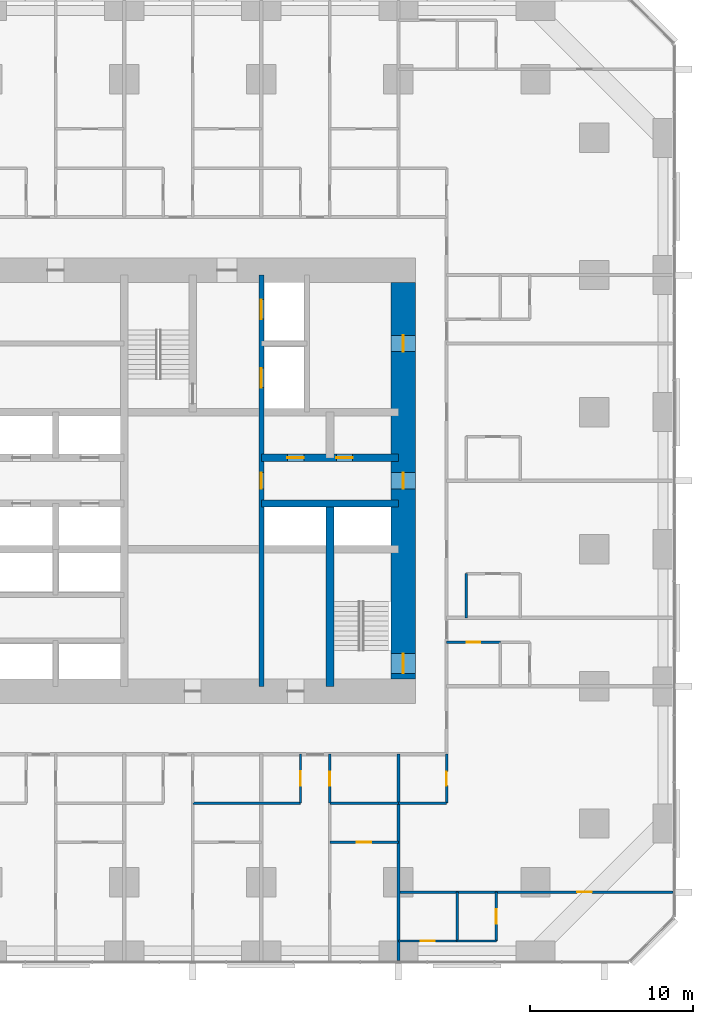
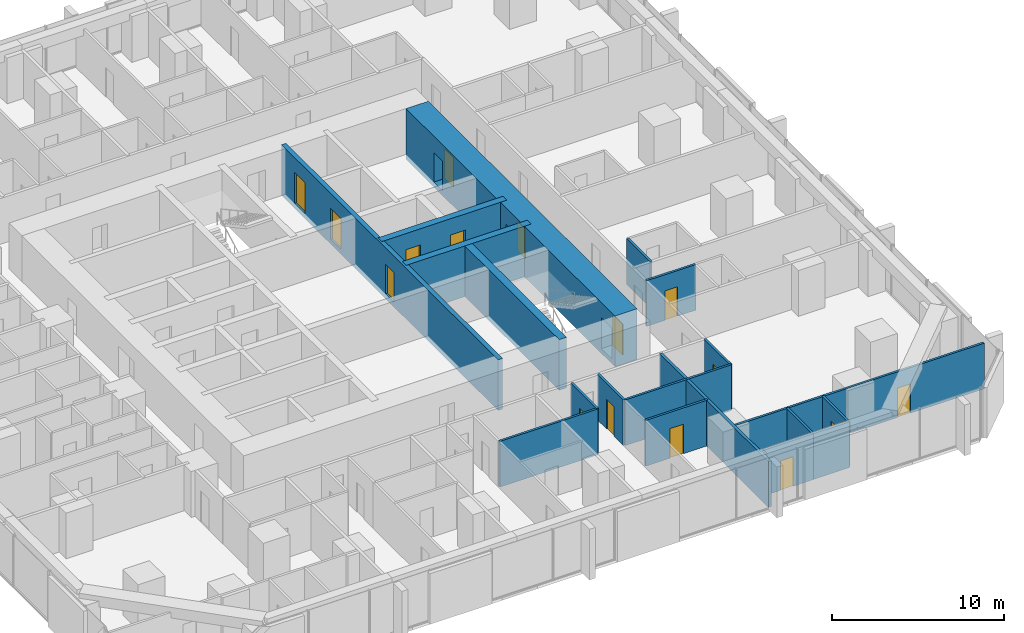
# One storey, part 13 of 17: 20 walls, 16 doors, 16 openings.
"""IFC4 building model written with IfcOpenShell, lengths in metres."""

from ifc_helpers import new_model, si_unit, direction, frame, frame_2d, origin, place, context, subcontext, project, spatial, rectangle, extrude, material, layer, layer_set, type_object, element, fill, save


model = new_model("IFC4")

# Units and contexts
model_context = context("Model", 3, precision=1e-05, world=origin(), true_north=direction((0.0, 1.0)))
body_context = subcontext(model_context, "Body", "Model", "MODEL_VIEW")
ifc_project = project(units=[si_unit("LENGTHUNIT", "METRE"), si_unit("AREAUNIT", "SQUARE_METRE"), si_unit("VOLUMEUNIT", "CUBIC_METRE"), si_unit("PLANEANGLEUNIT", "RADIAN"), si_unit("MASSUNIT", "GRAM", prefix="KILO")], contexts=[model_context])

# Site, building, storey
site_placement = place(None, origin())
site = spatial("IfcSite", under=ifc_project, at=site_placement, CompositionType="ELEMENT")
building_placement = place(site_placement, origin())
building = spatial("IfcBuilding", under=site, at=building_placement, Name="Dunama Terrace Hotel", CompositionType="ELEMENT")
storey_placement = place(building_placement, frame((0.0, 0.0, 52.199951171875)))
storey = spatial("IfcBuildingStorey", under=building, at=storey_placement, Name="L12", CompositionType="ELEMENT", Elevation=52.199951171875)

# Wall, opening, door
ifc_material_1 = material(Name="Gypsum board partition", Category="masonry")
ifc_layer_1 = layer(ifc_material_1, 0.14990234375)
ifc_layer_set_1 = layer_set([ifc_layer_1], Name="Bathroom partition 150")
wall_type_1 = type_object("IfcWallType", Name="Bathroom partition 150", PredefinedType="PARTITIONING", material=ifc_layer_set_1)
wall_1_placement = place(storey_placement, frame((37.800048828125, 9.64990234375, 0.0), z_axis=(0.0, 0.0, 1.0), x_axis=(0.0, 1.0, 0.0)))
wall_1 = element("IfcWall", 1, at=wall_1_placement, inside=storey, type_object=wall_type_1, Name="Bathroom partition 150 L12", PredefinedType="PARTITIONING", context=body_context, shape_type="SweptSolid", body=[
    extrude(rectangle(XDim=3.0, YDim=0.14990234375, at=frame_2d((1.5, 0.0))), origin(), (0.0, 0.0, 1.0), 3.25),
])
opening_1_placement = place(wall_1_placement, frame((1.074951171875, 0.0, 0.0)))
opening_1 = element("IfcOpeningElement", 2, at=opening_1_placement, cuts=wall_1, Name="Opening L12-021", PredefinedType="OPENING", context=body_context, shape_type="SweptSolid", body=[
    extrude(rectangle(XDim=0.85009765625, YDim=2.10009765625, at=frame_2d((0.425048828125, 1.050048828125))), frame((0.0, 0.0849609375, 0.0), z_axis=(0.0, -1.0, 0.0), x_axis=(1.0, 0.0, 0.0)), (0.0, 0.0, 1.0), 0.169921875),
])
ifc_material_2 = material(Name="Timber door with steel frame", Category="steel")
door_type_1 = type_object("IfcDoorType", Name="Bathroom door 850", OperationType="SINGLE_SWING_LEFT", PredefinedType="DOOR", material=ifc_material_2)
door_1_placement = place(opening_1_placement, frame((0.85009765625, 0.0, 0.0), z_axis=(0.0, 0.0, 1.0), x_axis=(-1.0, 0.0, 0.0)))
door_1 = element("IfcDoor", 3, at=door_1_placement, inside=storey, type_object=door_type_1, Name="Door to residence bathroom L12-021, type D2", OperationType="SINGLE_SWING_LEFT", OverallHeight=2.10009765625, OverallWidth=0.85009765625, PredefinedType="DOOR", context=body_context, shape_type="SweptSolid", body=[
    extrude(rectangle(XDim=0.85009765625, YDim=2.10009765625, at=frame_2d((0.425048828125, 1.050048828125))), frame((0.0, 0.025146484375, 0.0), z_axis=(0.0, -1.0, 0.0), x_axis=(1.0, 0.0, 0.0)), (0.0, 0.0, 1.0), 0.050048828125),
])
fill(opening_1, door_1)

wall_2_placement = place(storey_placement, frame((44.949951171875, 9.64990234375, 0.0), z_axis=(0.0, 0.0, 1.0), x_axis=(0.0, 1.0, 0.0)))
wall_2 = element("IfcWall", 4, at=wall_2_placement, inside=storey, type_object=wall_type_1, Name="Bathroom partition 150 L12", PredefinedType="PARTITIONING", context=body_context, shape_type="SweptSolid", body=[
    extrude(rectangle(XDim=3.0, YDim=0.14990234375, at=frame_2d((1.5, 0.0))), origin(), (0.0, 0.0, 1.0), 3.25),
])
opening_2_placement = place(wall_2_placement, frame((1.074951171875, 0.0, 0.0)))
opening_2 = element("IfcOpeningElement", 5, at=opening_2_placement, cuts=wall_2, Name="Opening L12-073", PredefinedType="OPENING", context=body_context, shape_type="SweptSolid", body=[
    extrude(rectangle(XDim=0.85009765625, YDim=2.10009765625, at=frame_2d((0.425048828125, 1.050048828125))), frame((0.0, 0.0849609375, 0.0), z_axis=(0.0, -1.0, 0.0), x_axis=(1.0, 0.0, 0.0)), (0.0, 0.0, 1.0), 0.169921875),
])
door_2_placement = place(opening_2_placement, origin())
door_2 = element("IfcDoor", 6, at=door_2_placement, inside=storey, type_object=door_type_1, Name="Door to powder room L12-073, type D2", OperationType="SINGLE_SWING_RIGHT", OverallHeight=2.10009765625, OverallWidth=0.85009765625, PredefinedType="DOOR", context=body_context, shape_type="SweptSolid", body=[
    extrude(rectangle(XDim=0.85009765625, YDim=2.10009765625, at=frame_2d((0.425048828125, 1.050048828125))), frame((0.0, 0.02490234375, 0.0), z_axis=(0.0, -1.0, 0.0), x_axis=(1.0, 0.0, 0.0)), (0.0, 0.0, 1.0), 0.050048828125),
])
fill(opening_2, door_2)

# Wall
wall_3_placement = place(storey_placement, frame((46.14990234375, 21.0, 0.0), z_axis=(0.0, 0.0, 1.0), x_axis=(0.0, 1.0, 0.0)))
element("IfcWall", 7, at=wall_3_placement, inside=storey, type_object=wall_type_1, Name="Bathroom partition 150 L12", PredefinedType="PARTITIONING", context=body_context, shape_type="SweptSolid", body=[
    extrude(rectangle(XDim=2.699951171875, YDim=0.14990234375, at=frame_2d((1.35009765625, 0.0))), origin(), (0.0, 0.0, 1.0), 3.25),
])

# Wall, opening, door
wall_4_placement = place(storey_placement, frame((42.0, 1.199951171875, 0.0), z_axis=(0.0, 0.0, 1.0), x_axis=(1.0, 0.0, 0.0)))
wall_4 = element("IfcWall", 8, at=wall_4_placement, inside=storey, type_object=wall_type_1, Name="Bathroom partition 150 L12", PredefinedType="PARTITIONING", context=body_context, shape_type="SweptSolid", body=[
    extrude(rectangle(XDim=3.60009765625, YDim=0.14990234375, at=frame_2d((1.800048828125, 0.0))), origin(), (0.0, 0.0, 1.0), 3.25),
])
opening_3_placement = place(wall_4_placement, frame((1.375, 0.0, 0.0)))
opening_3 = element("IfcOpeningElement", 9, at=opening_3_placement, cuts=wall_4, Name="Opening L12-075", PredefinedType="OPENING", context=body_context, shape_type="SweptSolid", body=[
    extrude(rectangle(XDim=0.85009765625, YDim=2.10009765625, at=frame_2d((0.425048828125, 1.050048828125))), frame((0.0, 0.0849609375, 0.0), z_axis=(0.0, -1.0, 0.0), x_axis=(1.0, 0.0, 0.0)), (0.0, 0.0, 1.0), 0.169921875),
])
door_3_placement = place(opening_3_placement, origin())
door_3 = element("IfcDoor", 10, at=door_3_placement, inside=storey, type_object=door_type_1, Name="Door to en-suite bathroom L12-075, type D2", OperationType="SINGLE_SWING_LEFT", OverallHeight=2.10009765625, OverallWidth=0.85009765625, PredefinedType="DOOR", context=body_context, shape_type="SweptSolid", body=[
    extrude(rectangle(XDim=0.85009765625, YDim=2.10009765625, at=frame_2d((0.425048828125, 1.050048828125))), frame((0.0, 0.02490234375, 0.0), z_axis=(0.0, -1.0, 0.0), x_axis=(1.0, 0.0, 0.0)), (0.0, 0.0, 1.0), 0.050048828125),
])
fill(opening_3, door_3)

# Wall
wall_5_placement = place(storey_placement, frame((42.0, 9.64990234375, 0.0), z_axis=(0.0, 0.0, 1.0), x_axis=(1.0, 0.0, 0.0)))
element("IfcWall", 11, at=wall_5_placement, inside=storey, type_object=wall_type_1, Name="Bathroom partition 150 L12", PredefinedType="PARTITIONING", context=body_context, shape_type="SweptSolid", body=[
    extrude(rectangle(XDim=2.949951171875, YDim=0.14990234375, at=frame_2d((1.47509765625, 0.0))), origin(), (0.0, 0.0, 1.0), 3.25),
])

# Wall, opening, door
wall_6_placement = place(storey_placement, frame((44.949951171875, 19.5, 0.0), z_axis=(0.0, 0.0, 1.0), x_axis=(1.0, 0.0, 0.0)))
wall_6 = element("IfcWall", 12, at=wall_6_placement, inside=storey, type_object=wall_type_1, Name="Bathroom partition 150 L12", PredefinedType="PARTITIONING", context=body_context, shape_type="SweptSolid", body=[
    extrude(rectangle(XDim=3.300048828125, YDim=0.14990234375, at=frame_2d((1.64990234375, 0.0))), origin(), (0.0, 0.0, 1.0), 3.25),
])
opening_4_placement = place(wall_6_placement, frame((1.22509765625, 0.0, 0.0)))
opening_4 = element("IfcOpeningElement", 13, at=opening_4_placement, cuts=wall_6, Name="Opening L12-025", PredefinedType="OPENING", context=body_context, shape_type="SweptSolid", body=[
    extrude(rectangle(XDim=0.85009765625, YDim=2.10009765625, at=frame_2d((0.425048828125, 1.050048828125))), frame((0.0, 0.0849609375, 0.0), z_axis=(0.0, -1.0, 0.0), x_axis=(1.0, 0.0, 0.0)), (0.0, 0.0, 1.0), 0.169921875),
])
door_4_placement = place(opening_4_placement, frame((0.85009765625, 0.0, 0.0), z_axis=(0.0, 0.0, 1.0), x_axis=(-1.0, 0.0, 0.0)))
door_4 = element("IfcDoor", 14, at=door_4_placement, inside=storey, type_object=door_type_1, Name="Door to en-suite bathroom L12-025, type D2", OperationType="SINGLE_SWING_RIGHT", OverallHeight=2.10009765625, OverallWidth=0.85009765625, PredefinedType="DOOR", context=body_context, shape_type="SweptSolid", body=[
    extrude(rectangle(XDim=0.85009765625, YDim=2.10009765625, at=frame_2d((0.425048828125, 1.050048828125))), frame((0.0, 0.025146484375, 0.0), z_axis=(0.0, -1.0, 0.0), x_axis=(1.0, 0.0, 0.0)), (0.0, 0.0, 1.0), 0.050048828125),
])
fill(opening_4, door_4)

# Wall, openings, doors
ifc_material_3 = material(Name="Concrete C50/60", Category="concrete")
ifc_layer_2 = layer(ifc_material_3, 0.300048828125)
ifc_layer_set_2 = layer_set([ifc_layer_2], Name="Core inner wall 300")
wall_type_2 = type_object("IfcWallType", Name="Core inner wall 300", PredefinedType="SHEAR", material=ifc_layer_set_2)
wall_7_placement = place(storey_placement, frame((33.60009765625, 16.800048828125, -0.349853515625), z_axis=(0.0, 0.0, 1.0), x_axis=(0.0, 1.0, 0.0)))
wall_7 = element("IfcWall", 15, at=wall_7_placement, inside=storey, type_object=wall_type_2, Name="Core inner wall 300 L12", PredefinedType="SHEAR", context=body_context, shape_type="SweptSolid", body=[
    extrude(rectangle(XDim=25.199951171875, YDim=0.300048828125, at=frame_2d((12.60009765625, 0.0))), origin(), (0.0, 0.0, 1.0), 3.599853515625),
])
opening_5_placement = place(wall_7_placement, frame((22.5, 0.0, 0.35009765625)))
opening_5 = element("IfcOpeningElement", 16, at=opening_5_placement, cuts=wall_7, Name="Opening L12-007", PredefinedType="OPENING", context=body_context, shape_type="SweptSolid", body=[
    extrude(rectangle(XDim=1.199951171875, YDim=2.199951171875, at=frame_2d((0.60009765625, 1.10009765625))), frame((0.0, 0.159912109375, 0.0), z_axis=(0.0, -1.0, 0.0), x_axis=(1.0, 0.0, 0.0)), (0.0, 0.0, 1.0), 0.320068359375),
])
opening_6_placement = place(wall_7_placement, frame((18.300048828125, 0.0, 0.35009765625)))
opening_6 = element("IfcOpeningElement", 17, at=opening_6_placement, cuts=wall_7, Name="Opening L12-008", PredefinedType="OPENING", context=body_context, shape_type="SweptSolid", body=[
    extrude(rectangle(XDim=1.199951171875, YDim=2.199951171875, at=frame_2d((0.60009765625, 1.10009765625))), frame((0.0, 0.159912109375, 0.0), z_axis=(0.0, -1.0, 0.0), x_axis=(1.0, 0.0, 0.0)), (0.0, 0.0, 1.0), 0.320068359375),
])
opening_7_placement = place(wall_7_placement, frame((12.10009765625, 0.0, 0.35009765625)))
opening_7 = element("IfcOpeningElement", 18, at=opening_7_placement, cuts=wall_7, Name="Opening L12-091", PredefinedType="OPENING", context=body_context, shape_type="SweptSolid", body=[
    extrude(rectangle(XDim=1.0, YDim=2.10009765625, at=frame_2d((0.5, 1.050048828125))), frame((0.0, 0.159912109375, 0.0), z_axis=(0.0, -1.0, 0.0), x_axis=(1.0, 0.0, 0.0)), (0.0, 0.0, 1.0), 0.320068359375),
])
ifc_material_4 = material(Name="Stainless steel lift door", Category="steel")
door_type_2 = type_object("IfcDoorType", Name="Firefighting lift landing door 1200", OperationType="DOUBLE_DOOR_SLIDING", PredefinedType="DOOR", material=ifc_material_4)
door_5_placement = place(opening_5_placement, origin())
door_5 = element("IfcDoor", 19, at=door_5_placement, inside=storey, type_object=door_type_2, Name="Landing door FL1 L12-007, type LD2", OperationType="DOUBLE_DOOR_SLIDING", OverallHeight=2.199951171875, OverallWidth=1.199951171875, PredefinedType="DOOR", context=body_context, shape_type="SweptSolid", body=[
    extrude(rectangle(XDim=1.199951171875, YDim=2.199951171875, at=frame_2d((0.60009765625, 1.10009765625))), frame((0.0, 0.02490234375, 0.0), z_axis=(0.0, -1.0, 0.0), x_axis=(1.0, 0.0, 0.0)), (0.0, 0.0, 1.0), 0.050048828125),
])
fill(opening_5, door_5)
door_6_placement = place(opening_6_placement, origin())
door_6 = element("IfcDoor", 20, at=door_6_placement, inside=storey, type_object=door_type_2, Name="Landing door FL2 L12-008, type LD2", OperationType="DOUBLE_DOOR_SLIDING", OverallHeight=2.199951171875, OverallWidth=1.199951171875, PredefinedType="DOOR", context=body_context, shape_type="SweptSolid", body=[
    extrude(rectangle(XDim=1.199951171875, YDim=2.199951171875, at=frame_2d((0.60009765625, 1.10009765625))), frame((0.0, 0.02490234375, 0.0), z_axis=(0.0, -1.0, 0.0), x_axis=(1.0, 0.0, 0.0)), (0.0, 0.0, 1.0), 0.050048828125),
])
fill(opening_6, door_6)
ifc_material_5 = material(Name="Timber door with steel frame", Category="steel")
door_type_3 = type_object("IfcDoorType", Name="Service door 1000", OperationType="SINGLE_SWING_LEFT", PredefinedType="DOOR", material=ifc_material_5)
door_7_placement = place(opening_7_placement, origin())
door_7 = element("IfcDoor", 21, at=door_7_placement, inside=storey, type_object=door_type_3, Name="Door to linen and housekeeping room L12-091, type D7", OperationType="SINGLE_SWING_LEFT", OverallHeight=2.10009765625, OverallWidth=1.0, PredefinedType="DOOR", context=body_context, shape_type="SweptSolid", body=[
    extrude(rectangle(XDim=1.0, YDim=2.10009765625, at=frame_2d((0.5, 1.050048828125))), frame((0.0, 0.02490234375, 0.0), z_axis=(0.0, -1.0, 0.0), x_axis=(1.0, 0.0, 0.0)), (0.0, 0.0, 1.0), 0.050048828125),
])
fill(opening_7, door_7)

# Wall
ifc_material_6 = material(Name="Concrete C50/60", Category="concrete")
ifc_layer_3 = layer(ifc_material_6, 0.449951171875)
ifc_layer_set_3 = layer_set([ifc_layer_3], Name="Core inner wall 450")
wall_type_3 = type_object("IfcWallType", Name="Core inner wall 450", PredefinedType="SHEAR", material=ifc_layer_set_3)
wall_8_placement = place(storey_placement, frame((33.60009765625, 28.0, -0.349853515625), z_axis=(0.0, 0.0, 1.0), x_axis=(1.0, 0.0, 0.0)))
element("IfcWall", 22, at=wall_8_placement, inside=storey, type_object=wall_type_3, Name="Core inner wall 450 L12", PredefinedType="SHEAR", context=body_context, shape_type="SweptSolid", body=[
    extrude(rectangle(XDim=8.39990234375, YDim=0.449951171875, at=frame_2d((4.199951171875, 0.0))), origin(), (0.0, 0.0, 1.0), 3.599853515625),
])

# Wall, openings, doors
wall_9_placement = place(storey_placement, frame((33.60009765625, 30.800048828125, -0.349853515625), z_axis=(0.0, 0.0, 1.0), x_axis=(1.0, 0.0, 0.0)))
wall_9 = element("IfcWall", 23, at=wall_9_placement, inside=storey, type_object=wall_type_3, Name="Core inner wall 450 L12", PredefinedType="SHEAR", context=body_context, shape_type="SweptSolid", body=[
    extrude(rectangle(XDim=8.39990234375, YDim=0.449951171875, at=frame_2d((4.199951171875, 0.0))), origin(), (0.0, 0.0, 1.0), 3.599853515625),
])
opening_8_placement = place(wall_9_placement, frame((1.60009765625, 0.0, 0.35009765625)))
opening_8 = element("IfcOpeningElement", 24, at=opening_8_placement, cuts=wall_9, Name="Opening L12-092", PredefinedType="OPENING", context=body_context, shape_type="SweptSolid", body=[
    extrude(rectangle(XDim=1.0, YDim=2.10009765625, at=frame_2d((0.5, 1.050048828125))), frame((0.0, 0.23486328125, 0.0), z_axis=(0.0, -1.0, 0.0), x_axis=(1.0, 0.0, 0.0)), (0.0, 0.0, 1.0), 0.469970703125),
])
opening_9_placement = place(wall_9_placement, frame((4.60009765625, 0.0, 0.35009765625)))
opening_9 = element("IfcOpeningElement", 25, at=opening_9_placement, cuts=wall_9, Name="Opening L12-093", PredefinedType="OPENING", context=body_context, shape_type="SweptSolid", body=[
    extrude(rectangle(XDim=1.0, YDim=2.10009765625, at=frame_2d((0.5, 1.050048828125))), frame((0.0, 0.23486328125, 0.0), z_axis=(0.0, -1.0, 0.0), x_axis=(1.0, 0.0, 0.0)), (0.0, 0.0, 1.0), 0.469970703125),
])
door_8_placement = place(opening_8_placement, origin())
door_8 = element("IfcDoor", 26, at=door_8_placement, inside=storey, type_object=door_type_3, Name="Door to service riser L12-092, type D7", OperationType="SINGLE_SWING_RIGHT", OverallHeight=2.10009765625, OverallWidth=1.0, PredefinedType="DOOR", context=body_context, shape_type="SweptSolid", body=[
    extrude(rectangle(XDim=1.0, YDim=2.10009765625, at=frame_2d((0.5, 1.050048828125))), frame((0.0, 0.02490234375, 0.0), z_axis=(0.0, -1.0, 0.0), x_axis=(1.0, 0.0, 0.0)), (0.0, 0.0, 1.0), 0.050048828125),
])
fill(opening_8, door_8)
door_9_placement = place(opening_9_placement, origin())
door_9 = element("IfcDoor", 27, at=door_9_placement, inside=storey, type_object=door_type_3, Name="Door to cleaners store L12-093, type D7", OperationType="SINGLE_SWING_LEFT", OverallHeight=2.10009765625, OverallWidth=1.0, PredefinedType="DOOR", context=body_context, shape_type="SweptSolid", body=[
    extrude(rectangle(XDim=1.0, YDim=2.10009765625, at=frame_2d((0.5, 1.050048828125))), frame((0.0, 0.02490234375, 0.0), z_axis=(0.0, -1.0, 0.0), x_axis=(1.0, 0.0, 0.0)), (0.0, 0.0, 1.0), 0.050048828125),
])
fill(opening_9, door_9)

# Wall
ifc_material_7 = material(Name="Concrete C50/60", Category="concrete")
ifc_layer_4 = layer(ifc_material_7, 0.5)
ifc_layer_set_4 = layer_set([ifc_layer_4], Name="Core inner wall 500")
wall_type_4 = type_object("IfcWallType", Name="Core inner wall 500", PredefinedType="SHEAR", material=ifc_layer_set_4)
wall_10_placement = place(storey_placement, frame((37.800048828125, 16.800048828125, -0.349853515625), z_axis=(0.0, 0.0, 1.0), x_axis=(0.0, 1.0, 0.0)))
element("IfcWall", 28, at=wall_10_placement, inside=storey, type_object=wall_type_4, Name="Core inner wall 500 L12", PredefinedType="SHEAR", context=body_context, shape_type="SweptSolid", body=[
    extrude(rectangle(XDim=11.199951171875, YDim=0.5, at=frame_2d((5.60009765625, 0.0))), origin(), (0.0, 0.0, 1.0), 3.599853515625),
])

# Wall, openings, doors
ifc_material_8 = material(Name="Concrete C60/75", Category="concrete")
ifc_layer_5 = layer(ifc_material_8, 1.5)
ifc_layer_set_5 = layer_set([ifc_layer_5], Name="Core wall 1500")
wall_type_5 = type_object("IfcWallType", Name="Core wall 1500", PredefinedType="SHEAR", material=ifc_layer_set_5)
wall_11_placement = place(storey_placement, frame((42.300048828125, 17.25, -0.349853515625), z_axis=(0.0, 0.0, 1.0), x_axis=(0.0, 1.0, 0.0)))
wall_11 = element("IfcWall", 29, at=wall_11_placement, inside=storey, type_object=wall_type_5, Name="Core wall east L12", PredefinedType="SHEAR", context=body_context, shape_type="SweptSolid", body=[
    extrude(rectangle(XDim=24.300048828125, YDim=1.5, at=frame_2d((12.14990234375, 0.0))), origin(), (0.0, 0.0, 1.0), 3.599853515625),
])
opening_10_placement = place(wall_11_placement, frame((0.35009765625, 0.0, 0.35009765625)))
opening_10 = element("IfcOpeningElement", 30, at=opening_10_placement, cuts=wall_11, Name="Opening L12-002", PredefinedType="OPENING", context=body_context, shape_type="SweptSolid", body=[
    extrude(rectangle(XDim=1.199951171875, YDim=2.199951171875, at=frame_2d((0.60009765625, 1.10009765625))), frame((0.0, 0.760009765625, 0.0), z_axis=(0.0, -1.0, 0.0), x_axis=(1.0, 0.0, 0.0)), (0.0, 0.0, 1.0), 1.52001953125),
])
opening_11_placement = place(wall_11_placement, frame((11.64990234375, 0.0, 0.35009765625)))
opening_11 = element("IfcOpeningElement", 31, at=opening_11_placement, cuts=wall_11, Name="Opening L12-094", PredefinedType="OPENING", context=body_context, shape_type="SweptSolid", body=[
    extrude(rectangle(XDim=1.0, YDim=2.10009765625, at=frame_2d((0.5, 1.050048828125))), frame((0.0, 0.760009765625, 0.0), z_axis=(0.0, -1.0, 0.0), x_axis=(1.0, 0.0, 0.0)), (0.0, 0.0, 1.0), 1.52001953125),
])
opening_12_placement = place(wall_11_placement, frame((20.050048828125, 0.0, 0.35009765625)))
opening_12 = element("IfcOpeningElement", 32, at=opening_12_placement, cuts=wall_11, Name="Opening L12-096", PredefinedType="OPENING", context=body_context, shape_type="SweptSolid", body=[
    extrude(rectangle(XDim=1.0, YDim=2.10009765625, at=frame_2d((0.5, 1.050048828125))), frame((0.0, 0.760009765625, 0.0), z_axis=(0.0, -1.0, 0.0), x_axis=(1.0, 0.0, 0.0)), (0.0, 0.0, 1.0), 1.52001953125),
])
door_10_placement = place(opening_11_placement, origin())
door_10 = element("IfcDoor", 33, at=door_10_placement, inside=storey, type_object=door_type_3, Name="Door to service lobby L12-094, type D7", OperationType="SINGLE_SWING_LEFT", OverallHeight=2.10009765625, OverallWidth=1.0, PredefinedType="DOOR", context=body_context, shape_type="SweptSolid", body=[
    extrude(rectangle(XDim=1.0, YDim=2.10009765625, at=frame_2d((0.5, 1.050048828125))), frame((0.0, 0.02490234375, 0.0), z_axis=(0.0, -1.0, 0.0), x_axis=(1.0, 0.0, 0.0)), (0.0, 0.0, 1.0), 0.050048828125),
])
fill(opening_11, door_10)
door_11_placement = place(opening_12_placement, origin())
door_11 = element("IfcDoor", 34, at=door_11_placement, inside=storey, type_object=door_type_3, Name="Door to housekeeping store L12-096, type D7", OperationType="SINGLE_SWING_LEFT", OverallHeight=2.10009765625, OverallWidth=1.0, PredefinedType="DOOR", context=body_context, shape_type="SweptSolid", body=[
    extrude(rectangle(XDim=1.0, YDim=2.10009765625, at=frame_2d((0.5, 1.050048828125))), frame((0.0, 0.02490234375, 0.0), z_axis=(0.0, -1.0, 0.0), x_axis=(1.0, 0.0, 0.0)), (0.0, 0.0, 1.0), 0.050048828125),
])
fill(opening_12, door_11)
ifc_material_9 = material(Name="Timber door with steel frame", Category="steel")
door_type_4 = type_object("IfcDoorType", Name="Stair door 1200", OperationType="SINGLE_SWING_LEFT", PredefinedType="DOOR", material=ifc_material_9)
door_12_placement = place(opening_10_placement, origin())
door_12 = element("IfcDoor", 35, at=door_12_placement, inside=storey, type_object=door_type_4, Name="Stair door ST2 L12-002, type D5", OperationType="SINGLE_SWING_LEFT", OverallHeight=2.199951171875, OverallWidth=1.199951171875, PredefinedType="DOOR", context=body_context, shape_type="SweptSolid", body=[
    extrude(rectangle(XDim=1.199951171875, YDim=2.199951171875, at=frame_2d((0.60009765625, 1.10009765625))), frame((0.0, 0.02490234375, 0.0), z_axis=(0.0, -1.0, 0.0), x_axis=(1.0, 0.0, 0.0)), (0.0, 0.0, 1.0), 0.050048828125),
])
fill(opening_10, door_12)

# Wall
ifc_material_10 = material(Name="Concrete blockwork", Category="masonry")
ifc_layer_6 = layer(ifc_material_10, 0.199951171875)
ifc_layer_set_6 = layer_set([ifc_layer_6], Name="Party wall 200")
wall_type_6 = type_object("IfcWallType", Name="Party wall 200", PredefinedType="PARTITIONING", material=ifc_layer_set_6)
wall_12_placement = place(storey_placement, frame((42.0, -0.008056640625, 0.0), z_axis=(0.0, 0.0, 1.0), x_axis=(0.0, 1.0, 0.0)))
element("IfcWall", 36, at=wall_12_placement, inside=storey, type_object=wall_type_6, Name="Party wall 200 L12", PredefinedType="PARTITIONING", context=body_context, shape_type="SweptSolid", body=[
    extrude(rectangle(XDim=12.657958984375, YDim=0.199951171875, at=frame_2d((6.3291015625, 0.0))), origin(), (0.0, 0.0, 1.0), 3.25),
])

# Wall, opening, door
ifc_material_11 = material(Name="Gypsum board partition", Category="masonry")
ifc_layer_7 = layer(ifc_material_11, 0.14990234375)
ifc_layer_set_7 = layer_set([ifc_layer_7], Name="Room partition 150")
wall_type_7 = type_object("IfcWallType", Name="Room partition 150", PredefinedType="PARTITIONING", material=ifc_layer_set_7)
wall_13_placement = place(storey_placement, frame((36.0, 9.64990234375, 0.0), z_axis=(0.0, 0.0, 1.0), x_axis=(0.0, 1.0, 0.0)))
wall_13 = element("IfcWall", 37, at=wall_13_placement, inside=storey, type_object=wall_type_7, Name="Room partition 150 L12", PredefinedType="PARTITIONING", context=body_context, shape_type="SweptSolid", body=[
    extrude(rectangle(XDim=3.0, YDim=0.14990234375, at=frame_2d((1.5, 0.0))), origin(), (0.0, 0.0, 1.0), 3.25),
])
opening_13_placement = place(wall_13_placement, frame((1.050048828125, 0.0, 0.0)))
opening_13 = element("IfcOpeningElement", 38, at=opening_13_placement, cuts=wall_13, Name="Opening L12-020", PredefinedType="OPENING", context=body_context, shape_type="SweptSolid", body=[
    extrude(rectangle(XDim=0.89990234375, YDim=2.10009765625, at=frame_2d((0.449951171875, 1.050048828125))), frame((0.0, 0.0849609375, 0.0), z_axis=(0.0, -1.0, 0.0), x_axis=(1.0, 0.0, 0.0)), (0.0, 0.0, 1.0), 0.169921875),
])
ifc_material_12 = material(Name="Timber door with steel frame", Category="steel")
door_type_5 = type_object("IfcDoorType", Name="Suite internal door 900", OperationType="SINGLE_SWING_LEFT", PredefinedType="DOOR", material=ifc_material_12)
door_13_placement = place(opening_13_placement, origin())
door_13 = element("IfcDoor", 39, at=door_13_placement, inside=storey, type_object=door_type_5, Name="Door to residence kitchen L12-020, type D16", OperationType="SINGLE_SWING_RIGHT", OverallHeight=2.10009765625, OverallWidth=0.89990234375, PredefinedType="DOOR", context=body_context, shape_type="SweptSolid", body=[
    extrude(rectangle(XDim=0.89990234375, YDim=2.10009765625, at=frame_2d((0.449951171875, 1.050048828125))), frame((0.0, 0.02490234375, 0.0), z_axis=(0.0, -1.0, 0.0), x_axis=(1.0, 0.0, 0.0)), (0.0, 0.0, 1.0), 0.050048828125),
])
fill(opening_13, door_13)

# Wall
wall_14_placement = place(storey_placement, frame((45.60009765625, 1.199951171875, 0.0), z_axis=(0.0, 0.0, 1.0), x_axis=(0.0, 1.0, 0.0)))
element("IfcWall", 40, at=wall_14_placement, inside=storey, type_object=wall_type_7, Name="Room partition 150 L12", PredefinedType="PARTITIONING", context=body_context, shape_type="SweptSolid", body=[
    extrude(rectangle(XDim=3.0, YDim=0.14990234375, at=frame_2d((1.5, 0.0))), origin(), (0.0, 0.0, 1.0), 3.25),
])

# Wall, opening, door
wall_15_placement = place(storey_placement, frame((48.0, 1.199951171875, 0.0), z_axis=(0.0, 0.0, 1.0), x_axis=(0.0, 1.0, 0.0)))
wall_15 = element("IfcWall", 41, at=wall_15_placement, inside=storey, type_object=wall_type_7, Name="Room partition 150 L12", PredefinedType="PARTITIONING", context=body_context, shape_type="SweptSolid", body=[
    extrude(rectangle(XDim=3.0, YDim=0.14990234375, at=frame_2d((1.5, 0.0))), origin(), (0.0, 0.0, 1.0), 3.25),
])
opening_14_placement = place(wall_15_placement, frame((1.050048828125, 0.0, 0.0)))
opening_14 = element("IfcOpeningElement", 42, at=opening_14_placement, cuts=wall_15, Name="Opening L12-076", PredefinedType="OPENING", context=body_context, shape_type="SweptSolid", body=[
    extrude(rectangle(XDim=0.89990234375, YDim=2.10009765625, at=frame_2d((0.449951171875, 1.050048828125))), frame((0.0, 0.0849609375, 0.0), z_axis=(0.0, -1.0, 0.0), x_axis=(1.0, 0.0, 0.0)), (0.0, 0.0, 1.0), 0.169921875),
])
door_14_placement = place(opening_14_placement, origin())
door_14 = element("IfcDoor", 43, at=door_14_placement, inside=storey, type_object=door_type_5, Name="Door to dressing room L12-076, type D16", OperationType="SINGLE_SWING_LEFT", OverallHeight=2.10009765625, OverallWidth=0.89990234375, PredefinedType="DOOR", context=body_context, shape_type="SweptSolid", body=[
    extrude(rectangle(XDim=0.89990234375, YDim=2.10009765625, at=frame_2d((0.449951171875, 1.050048828125))), frame((0.0, 0.02490234375, 0.0), z_axis=(0.0, -1.0, 0.0), x_axis=(1.0, 0.0, 0.0)), (0.0, 0.0, 1.0), 0.050048828125),
])
fill(opening_14, door_14)

# Wall
wall_16_placement = place(storey_placement, frame((45.60009765625, 1.199951171875, 0.0), z_axis=(0.0, 0.0, 1.0), x_axis=(1.0, 0.0, 0.0)))
element("IfcWall", 44, at=wall_16_placement, inside=storey, type_object=wall_type_7, Name="Room partition 150 L12", PredefinedType="PARTITIONING", context=body_context, shape_type="SweptSolid", body=[
    extrude(rectangle(XDim=2.39990234375, YDim=0.14990234375, at=frame_2d((1.199951171875, 0.0))), origin(), (0.0, 0.0, 1.0), 3.25),
])

# Wall, opening, door
wall_17_placement = place(storey_placement, frame((42.0, 4.199951171875, 0.0), z_axis=(0.0, 0.0, 1.0), x_axis=(1.0, 0.0, 0.0)))
wall_17 = element("IfcWall", 45, at=wall_17_placement, inside=storey, type_object=wall_type_7, Name="Room partition 150 L12", PredefinedType="PARTITIONING", context=body_context, shape_type="SweptSolid", body=[
    extrude(rectangle(XDim=16.80810546875, YDim=0.14990234375, at=frame_2d((8.404052734375, 0.0))), origin(), (0.0, 0.0, 1.0), 3.25),
])
opening_15_placement = place(wall_17_placement, frame((10.949951171875, 0.0, 0.0)))
opening_15 = element("IfcOpeningElement", 46, at=opening_15_placement, cuts=wall_17, Name="Opening L12-074", PredefinedType="OPENING", context=body_context, shape_type="SweptSolid", body=[
    extrude(rectangle(XDim=0.89990234375, YDim=2.10009765625, at=frame_2d((0.449951171875, 1.050048828125))), frame((0.0, 0.0849609375, 0.0), z_axis=(0.0, -1.0, 0.0), x_axis=(1.0, 0.0, 0.0)), (0.0, 0.0, 1.0), 0.169921875),
])
door_15_placement = place(opening_15_placement, frame((0.89990234375, 0.0, 0.0), z_axis=(0.0, 0.0, 1.0), x_axis=(-1.0, 0.0, 0.0)))
door_15 = element("IfcDoor", 47, at=door_15_placement, inside=storey, type_object=door_type_5, Name="Door to corner suite bedroom L12-074, type D16", OperationType="SINGLE_SWING_RIGHT", OverallHeight=2.10009765625, OverallWidth=0.89990234375, PredefinedType="DOOR", context=body_context, shape_type="SweptSolid", body=[
    extrude(rectangle(XDim=0.89990234375, YDim=2.10009765625, at=frame_2d((0.449951171875, 1.050048828125))), frame((0.0, 0.025146484375, 0.0), z_axis=(0.0, -1.0, 0.0), x_axis=(1.0, 0.0, 0.0)), (0.0, 0.0, 1.0), 0.050048828125),
])
fill(opening_15, door_15)

wall_18_placement = place(storey_placement, frame((37.800048828125, 7.25, 0.0), z_axis=(0.0, 0.0, 1.0), x_axis=(1.0, 0.0, 0.0)))
wall_18 = element("IfcWall", 48, at=wall_18_placement, inside=storey, type_object=wall_type_7, Name="Room partition 150 L12", PredefinedType="PARTITIONING", context=body_context, shape_type="SweptSolid", body=[
    extrude(rectangle(XDim=4.199951171875, YDim=0.14990234375, at=frame_2d((2.10009765625, 0.0))), origin(), (0.0, 0.0, 1.0), 3.25),
])
opening_16_placement = place(wall_18_placement, frame((1.64990234375, 0.0, 0.0)))
opening_16 = element("IfcOpeningElement", 49, at=opening_16_placement, cuts=wall_18, Name="Opening L12-022", PredefinedType="OPENING", context=body_context, shape_type="SweptSolid", body=[
    extrude(rectangle(XDim=0.89990234375, YDim=2.10009765625, at=frame_2d((0.449951171875, 1.050048828125))), frame((0.0, 0.0849609375, 0.0), z_axis=(0.0, -1.0, 0.0), x_axis=(1.0, 0.0, 0.0)), (0.0, 0.0, 1.0), 0.169921875),
])
door_16_placement = place(opening_16_placement, origin())
door_16 = element("IfcDoor", 50, at=door_16_placement, inside=storey, type_object=door_type_5, Name="Door to walk-in wardrobe L12-022, type D16", OperationType="SINGLE_SWING_LEFT", OverallHeight=2.10009765625, OverallWidth=0.89990234375, PredefinedType="DOOR", context=body_context, shape_type="SweptSolid", body=[
    extrude(rectangle(XDim=0.89990234375, YDim=2.10009765625, at=frame_2d((0.449951171875, 1.050048828125))), frame((0.0, 0.02490234375, 0.0), z_axis=(0.0, -1.0, 0.0), x_axis=(1.0, 0.0, 0.0)), (0.0, 0.0, 1.0), 0.050048828125),
])
fill(opening_16, door_16)

# Walls
wall_19_placement = place(storey_placement, frame((29.39990234375, 9.64990234375, 0.0), z_axis=(0.0, 0.0, 1.0), x_axis=(1.0, 0.0, 0.0)))
element("IfcWall", 51, at=wall_19_placement, inside=storey, type_object=wall_type_7, Name="Room partition 150 L12", PredefinedType="PARTITIONING", context=body_context, shape_type="SweptSolid", body=[
    extrude(rectangle(XDim=6.60009765625, YDim=0.14990234375, at=frame_2d((3.300048828125, 0.0))), origin(), (0.0, 0.0, 1.0), 3.25),
])
wall_20_placement = place(storey_placement, frame((37.800048828125, 9.64990234375, 0.0), z_axis=(0.0, 0.0, 1.0), x_axis=(1.0, 0.0, 0.0)))
element("IfcWall", 52, at=wall_20_placement, inside=storey, type_object=wall_type_7, Name="Room partition 150 L12", PredefinedType="PARTITIONING", context=body_context, shape_type="SweptSolid", body=[
    extrude(rectangle(XDim=4.199951171875, YDim=0.14990234375, at=frame_2d((2.10009765625, 0.0))), origin(), (0.0, 0.0, 1.0), 3.25),
])

save(model, "model.ifc")
